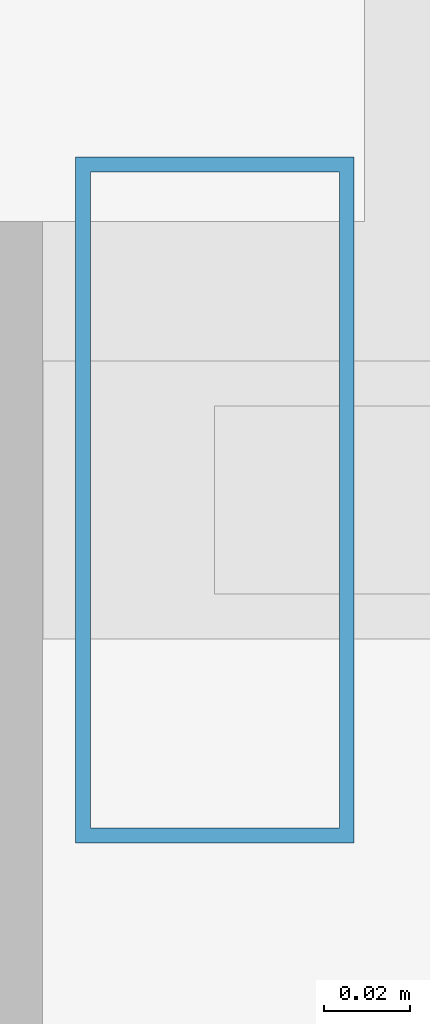
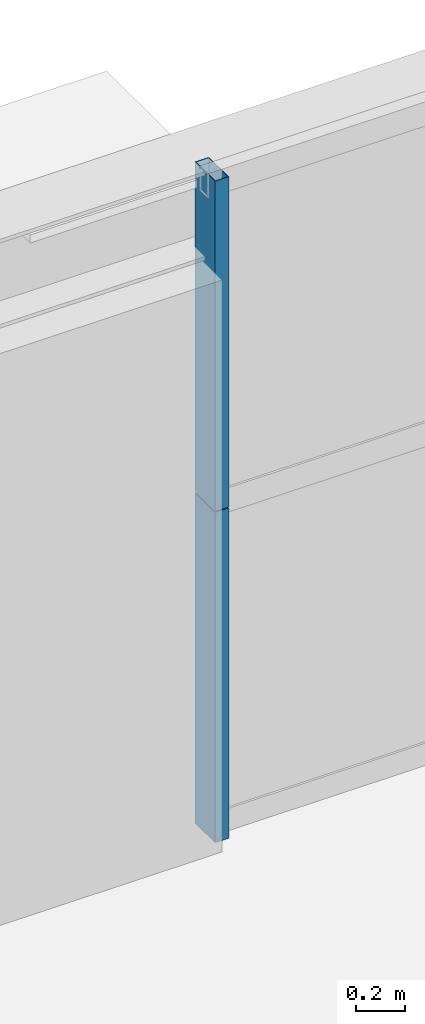
# One storey, part 25 of 38: 2 members, 1 element without a shape of its own.
"""IFC4 building model written with IfcOpenShell, lengths in metres."""

from ifc_helpers import new_model, si_unit, direction, frame, origin, origin_2d, place, context, subcontext, project, spatial, hollow_rectangle, extrude, source, transform, mapped, material, layer, layer_set, material_profile, profile_set, type_object, element, aggregate, save


model = new_model("IFC4")

# Units and contexts
model_context = context("Model", 3, precision=1e-05, world=origin(), true_north=direction((0.0, 1.0)))
body_context = subcontext(model_context, "Body", "Model", "MODEL_VIEW")
ifc_project = project(units=[si_unit("LENGTHUNIT", "METRE"), si_unit("AREAUNIT", "SQUARE_METRE"), si_unit("VOLUMEUNIT", "CUBIC_METRE"), si_unit("PLANEANGLEUNIT", "RADIAN"), si_unit("MASSUNIT", "GRAM", prefix="KILO"), si_unit("THERMODYNAMICTEMPERATUREUNIT", "KELVIN"), si_unit("POWERUNIT", "WATT")], contexts=[model_context])

# Site, building, storey
site_placement = place(None, origin())
site = spatial("IfcSite", under=ifc_project, at=site_placement, CompositionType="ELEMENT")
building_placement = place(site_placement, origin())
building = spatial("IfcBuilding", under=site, at=building_placement, Name="Yuzanri Waterfront Tower", CompositionType="ELEMENT")
storey_placement = place(building_placement, frame((0.0, 0.0, 181.0)))
storey = spatial("IfcBuildingStorey", under=building, at=storey_placement, Name="L47", CompositionType="ELEMENT", Elevation=181.0)

# Curtain wall, members
ifc_material_1 = material(Name="Anodized Architectural Bronze", Category="metal")
ifc_layer = layer(ifc_material_1, 0.159912109375)
ifc_layer_set = layer_set([ifc_layer], Name="Anodized Architectural Bronze")
curtain_wall_type = type_object("IfcCurtainWallType", Name="Anodized Bronze Mid-Rise Residential Acoustic Unitized Curtain Wall 7200", PredefinedType="NOTDEFINED", material=ifc_layer_set)
curtain_wall_placement = place(storey_placement, origin())
curtain_wall = element("IfcCurtainWall", 1, at=curtain_wall_placement, inside=storey, type_object=curtain_wall_type, Name="L47 Curtain Wall CW-L47-NL", PredefinedType="NOTDEFINED")
ifc_material_2 = material(Name="Anodized Architectural Bronze", Category="metal")
ifc_material_profile = material_profile(ifc_material_2, hollow_rectangle(XDim=0.06494140625, YDim=0.159912109375, WallThickness=0.00341796875, at=origin_2d()), Name="CWM 65x160")
ifc_profile_set = profile_set([ifc_material_profile], Name="Anodized Architectural Bronze")
member_type = type_object("IfcMemberType", Name="Anodized Bronze Upper-Zone Curtain-Wall Mullion 65x160", PredefinedType="MULLION", material=ifc_profile_set)
shared_shape = source(origin(), body_context, "Body", "SweptSolid", [
    extrude(hollow_rectangle(XDim=0.06494140625, YDim=0.159912109375, WallThickness=0.00341796875, at=origin_2d()), origin(), (0.0, 0.0, 1.0), 1.637939453125),
])
member_1_placement = place(storey_placement, frame((22.2900390625, 47.75, 0.0), z_axis=(0.0, 0.0, 1.0), x_axis=(1.0, 0.0, 0.0)))
member_1 = element("IfcMember", 2, at=member_1_placement, type_object=member_type, Name="CW-L47-NL Lower Mullion 00", PredefinedType="MULLION", context=body_context, shape_type="MappedRepresentation", body=[
    mapped(shared_shape, transform((0.0, 0.0, 0.0), scale=1.0)),
])
member_2_placement = place(storey_placement, frame((22.2900390625, 47.75, 1.64208984375), z_axis=(0.0, 0.0, 1.0), x_axis=(1.0, 0.0, 0.0)))
member_2 = element("IfcMember", 3, at=member_2_placement, type_object=member_type, Name="CW-L47-NL Upper Mullion 00", PredefinedType="MULLION", context=body_context, shape_type="MappedRepresentation", body=[
    mapped(shared_shape, transform((0.0, 0.0, 0.0), scale=1.0)),
])
aggregate(curtain_wall, [member_1, member_2])

save(model, "model.ifc")
